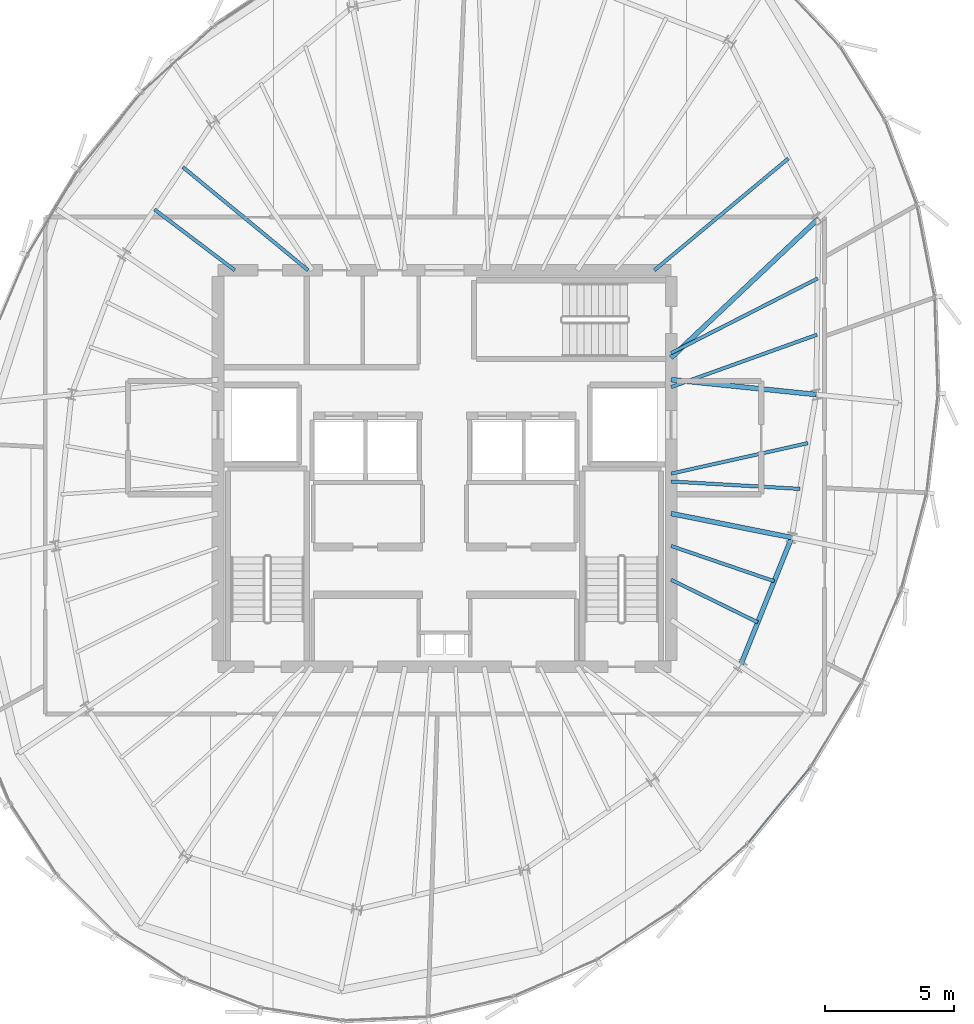
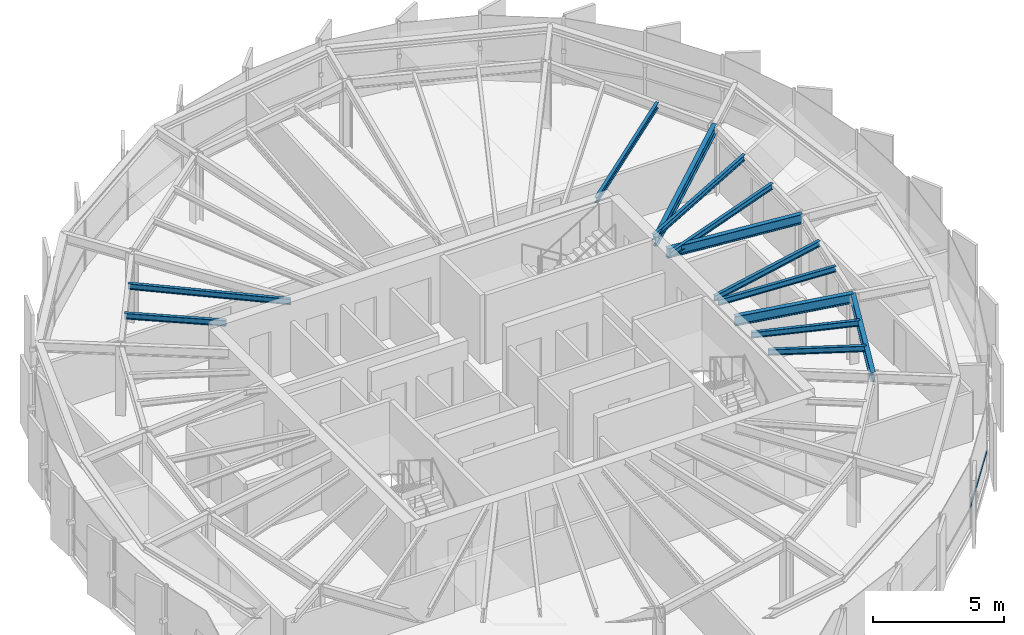
# One storey, part 13 of 31: 13 beams, 1 member, 1 element without a shape of its own.
"""IFC4 building model written with IfcOpenShell, lengths in metres."""

from ifc_helpers import new_model, si_unit, direction, frame, origin, origin_2d, place, context, subcontext, project, spatial, hollow_rectangle, i_section, extrude, source, transform, mapped, material, layer, layer_set, material_profile, profile_set, type_object, element, aggregate, save


model = new_model("IFC4")

# Units and contexts
model_context = context("Model", 3, precision=1e-05, world=origin(), true_north=direction((0.0, 1.0)))
body_context = subcontext(model_context, "Body", "Model", "MODEL_VIEW")
ifc_project = project(units=[si_unit("LENGTHUNIT", "METRE"), si_unit("AREAUNIT", "SQUARE_METRE"), si_unit("VOLUMEUNIT", "CUBIC_METRE"), si_unit("PLANEANGLEUNIT", "RADIAN"), si_unit("MASSUNIT", "GRAM", prefix="KILO"), si_unit("THERMODYNAMICTEMPERATUREUNIT", "KELVIN")], contexts=[model_context])

# Site, building, storey
site_placement = place(None, origin())
site = spatial("IfcSite", under=ifc_project, at=site_placement, CompositionType="ELEMENT")
building_placement = place(site_placement, origin())
building = spatial("IfcBuilding", under=site, at=building_placement, Name="Kethvar Cultural Tower", CompositionType="ELEMENT")
storey_placement = place(building_placement, frame((0.0, 0.0, 287.050048828125)))
storey = spatial("IfcBuildingStorey", under=building, at=storey_placement, Name="L76", CompositionType="ELEMENT", Elevation=287.050048828125)

# Beams
ifc_material_1 = material(Name="Steel S355J2", Category="steel")
ifc_material_profile_1 = material_profile(ifc_material_1, i_section(OverallWidth=0.18994140625, OverallDepth=0.449951171875, WebThickness=0.009521484375, FlangeThickness=0.0146484375, FilletRadius=0.02099609375, at=origin_2d()), Name="Steel S355J2 — IPE450")
ifc_profile_set_1 = profile_set([ifc_material_profile_1], Name="Steel S355J2 — IPE450")
beam_type_1 = type_object("IfcBeamType", Name="BM-IPE450", PredefinedType="BEAM", material=ifc_profile_set_1)
shared_shape_1 = source(origin(), body_context, "Body", "SweptSolid", [
    extrude(i_section(OverallWidth=0.18994140625, OverallDepth=0.449951171875, WebThickness=0.009521484375, FlangeThickness=0.0146484375, FilletRadius=0.02099609375, at=origin_2d()), origin(), (0.0, 0.0, 1.0), 5.66650390625),
])
beam_1_placement = place(storey_placement, frame((55.60009765625, 31.25, 2.98291015625), z_axis=(0.994777513459, -0.102067128476, 0.0), x_axis=(0.102067128476, 0.994777513459, 0.0)))
element("IfcBeam", 1, at=beam_1_placement, inside=storey, type_object=beam_type_1, Name="L76 Primary Radial Beam RB-01", PredefinedType="BEAM", context=body_context, shape_type="MappedRepresentation", body=[
    mapped(shared_shape_1, transform((0.0, 0.0, 0.0), scale=1.0)),
])
shared_shape_2 = source(origin(), body_context, "Body", "SweptSolid", [
    extrude(i_section(OverallWidth=0.18994140625, OverallDepth=0.449951171875, WebThickness=0.009521484375, FlangeThickness=0.0146484375, FilletRadius=0.02099609375, at=origin_2d()), origin(), (0.0, 0.0, 1.0), 7.874267578125),
])
beam_2_placement = place(storey_placement, frame((55.60009765625, 32.10009765625, 2.98291015625), z_axis=(0.727123202456, 0.686506990823, 0.0), x_axis=(-0.686506990823, 0.727123202456, 0.0)))
element("IfcBeam", 2, at=beam_2_placement, inside=storey, type_object=beam_type_1, Name="L76 Primary Radial Beam RB-02", PredefinedType="BEAM", context=body_context, shape_type="MappedRepresentation", body=[
    mapped(shared_shape_2, transform((0.0, 0.0, 0.0), scale=1.0)),
])
shared_shape_3 = source(origin(), body_context, "Body", "SweptSolid", [
    extrude(i_section(OverallWidth=0.18994140625, OverallDepth=0.449951171875, WebThickness=0.009521484375, FlangeThickness=0.0146484375, FilletRadius=0.02099609375, at=origin_2d()), origin(), (0.0, 0.0, 1.0), 4.775390625),
])
beam_3_placement = place(storey_placement, frame((55.60009765625, 26.049560546875, 2.98291015625), z_axis=(0.980784643133, -0.195093525761, 0.0), x_axis=(0.195093525761, 0.980784643133, 0.0)))
element("IfcBeam", 3, at=beam_3_placement, inside=storey, type_object=beam_type_1, Name="L76 Primary Radial Beam RB-16", PredefinedType="BEAM", context=body_context, shape_type="MappedRepresentation", body=[
    mapped(shared_shape_3, transform((0.0, 0.0, 0.0), scale=1.0)),
])
ifc_material_profile_2 = material_profile(ifc_material_1, i_section(OverallWidth=0.135009765625, OverallDepth=0.27001953125, WebThickness=0.006591796875, FlangeThickness=0.01025390625, FilletRadius=0.014892578125, at=origin_2d()), Name="Steel S355J2 — IPE270")
ifc_profile_set_2 = profile_set([ifc_material_profile_2], Name="Steel S355J2 — IPE270")
beam_type_2 = type_object("IfcBeamType", Name="BM-J270", PredefinedType="JOIST", material=ifc_profile_set_2)
shared_shape_4 = source(origin(), body_context, "Body", "SweptSolid", [
    extrude(i_section(OverallWidth=0.135009765625, OverallDepth=0.27001953125, WebThickness=0.006591796875, FlangeThickness=0.01025390625, FilletRadius=0.014892578125, at=origin_2d()), origin(), (0.0, 0.0, 1.0), 6.021240234375),
])
beam_4_placement = place(storey_placement, frame((55.60009765625, 30.960205078125, 3.072998046875), z_axis=(0.94114970072, 0.337990001086, 0.0), x_axis=(-0.337990001086, 0.94114970072, 0.0)))
element("IfcBeam", 4, at=beam_4_placement, inside=storey, type_object=beam_type_2, Name="L76 Composite Floor Joist J-01A", PredefinedType="JOIST", context=body_context, shape_type="MappedRepresentation", body=[
    mapped(shared_shape_4, transform((0.0, 0.0, 0.0), scale=1.0)),
])
shared_shape_5 = source(origin(), body_context, "Body", "SweptSolid", [
    extrude(i_section(OverallWidth=0.135009765625, OverallDepth=0.27001953125, WebThickness=0.006591796875, FlangeThickness=0.01025390625, FilletRadius=0.014892578125, at=origin_2d()), origin(), (0.0, 0.0, 1.0), 6.3916015625),
])
beam_5_placement = place(storey_placement, frame((55.60009765625, 32.281494140625, 3.072998046875), z_axis=(0.891094874615, 0.453817060538, 0.0), x_axis=(-0.453817060538, 0.891094874615, 0.0)))
element("IfcBeam", 5, at=beam_5_placement, inside=storey, type_object=beam_type_2, Name="L76 Composite Floor Joist J-01B", PredefinedType="JOIST", context=body_context, shape_type="MappedRepresentation", body=[
    mapped(shared_shape_5, transform((0.0, 0.0, 0.0), scale=1.0)),
])
shared_shape_6 = source(origin(), body_context, "Body", "SweptSolid", [
    extrude(i_section(OverallWidth=0.135009765625, OverallDepth=0.27001953125, WebThickness=0.006591796875, FlangeThickness=0.01025390625, FilletRadius=0.014892578125, at=origin_2d()), origin(), (0.0, 0.0, 1.0), 6.776123046875),
])
beam_6_placement = place(storey_placement, frame((54.949951171875, 35.5, 3.072998046875), z_axis=(0.767801747857, 0.6406875026, 0.0), x_axis=(-0.6406875026, 0.767801747857, 0.0)))
element("IfcBeam", 6, at=beam_6_placement, inside=storey, type_object=beam_type_2, Name="L76 Composite Floor Joist J-02A", PredefinedType="JOIST", context=body_context, shape_type="MappedRepresentation", body=[
    mapped(shared_shape_6, transform((0.0, 0.0, 0.0), scale=1.0)),
])
shared_shape_7 = source(origin(), body_context, "Body", "SweptSolid", [
    extrude(i_section(OverallWidth=0.135009765625, OverallDepth=0.27001953125, WebThickness=0.006591796875, FlangeThickness=0.01025390625, FilletRadius=0.014892578125, at=origin_2d()), origin(), (0.0, 0.0, 1.0), 6.302978515625),
])
beam_7_placement = place(storey_placement, frame((41.5, 35.5, 3.072998046875), z_axis=(-0.771828477148, 0.635830796567, 0.0), x_axis=(-0.635830796567, -0.771828477148, 0.0)))
element("IfcBeam", 7, at=beam_7_placement, inside=storey, type_object=beam_type_2, Name="L76 Composite Floor Joist J-06A", PredefinedType="JOIST", context=body_context, shape_type="MappedRepresentation", body=[
    mapped(shared_shape_7, transform((0.0, 0.0, 0.0), scale=1.0)),
])
shared_shape_8 = source(origin(), body_context, "Body", "SweptSolid", [
    extrude(i_section(OverallWidth=0.135009765625, OverallDepth=0.27001953125, WebThickness=0.006591796875, FlangeThickness=0.01025390625, FilletRadius=0.014892578125, at=origin_2d()), origin(), (0.0, 0.0, 1.0), 3.91357421875),
])
beam_8_placement = place(storey_placement, frame((38.64990234375, 35.5, 3.072998046875), z_axis=(-0.797214062325, 0.603696727531, 0.0), x_axis=(-0.603696727531, -0.797214062325, 0.0)))
element("IfcBeam", 8, at=beam_8_placement, inside=storey, type_object=beam_type_2, Name="L76 Composite Floor Joist J-06B", PredefinedType="JOIST", context=body_context, shape_type="MappedRepresentation", body=[
    mapped(shared_shape_8, transform((0.0, 0.0, 0.0), scale=1.0)),
])
shared_shape_9 = source(origin(), body_context, "Body", "SweptSolid", [
    extrude(i_section(OverallWidth=0.18994140625, OverallDepth=0.449951171875, WebThickness=0.009521484375, FlangeThickness=0.0146484375, FilletRadius=0.02099609375, at=origin_2d()), origin(), (0.0, 0.0, 1.0), 5.377685546875),
])
beam_9_placement = place(storey_placement, frame((58.287109375, 20.12451171875, 2.98291015625), z_axis=(0.371265436914, 0.928526776864, 0.0), x_axis=(-0.928526776864, 0.371265436914, 0.0)))
element("IfcBeam", 9, at=beam_9_placement, inside=storey, type_object=beam_type_1, Name="L76 Column Ring Tie Beam CR-15", PredefinedType="BEAM", context=body_context, shape_type="MappedRepresentation", body=[
    mapped(shared_shape_9, transform((0.0, 0.0, 0.0), scale=1.0)),
])
shared_shape_10 = source(origin(), body_context, "Body", "SweptSolid", [
    extrude(i_section(OverallWidth=0.135009765625, OverallDepth=0.27001953125, WebThickness=0.006591796875, FlangeThickness=0.01025390625, FilletRadius=0.014892578125, at=origin_2d()), origin(), (0.0, 0.0, 1.0), 3.75),
])
beam_10_placement = place(storey_placement, frame((55.60009765625, 23.476318359375, 3.072998046875), z_axis=(0.8975046019, -0.441005090184, 0.0), x_axis=(0.441005090184, 0.8975046019, 0.0)))
element("IfcBeam", 10, at=beam_10_placement, inside=storey, type_object=beam_type_2, Name="L76 Composite Floor Joist J-15A", PredefinedType="JOIST", context=body_context, shape_type="MappedRepresentation", body=[
    mapped(shared_shape_10, transform((0.0, 0.0, 0.0), scale=1.0)),
])
shared_shape_11 = source(origin(), body_context, "Body", "SweptSolid", [
    extrude(i_section(OverallWidth=0.135009765625, OverallDepth=0.27001953125, WebThickness=0.006591796875, FlangeThickness=0.01025390625, FilletRadius=0.014892578125, at=origin_2d()), origin(), (0.0, 0.0, 1.0), 4.232421875),
])
beam_11_placement = place(storey_placement, frame((55.60009765625, 24.7900390625, 3.072998046875), z_axis=(0.946173747357, -0.323659141402, 0.0), x_axis=(0.323659141402, 0.946173747357, 0.0)))
element("IfcBeam", 11, at=beam_11_placement, inside=storey, type_object=beam_type_2, Name="L76 Composite Floor Joist J-15B", PredefinedType="JOIST", context=body_context, shape_type="MappedRepresentation", body=[
    mapped(shared_shape_11, transform((0.0, 0.0, 0.0), scale=1.0)),
])
shared_shape_12 = source(origin(), body_context, "Body", "SweptSolid", [
    extrude(i_section(OverallWidth=0.135009765625, OverallDepth=0.27001953125, WebThickness=0.006591796875, FlangeThickness=0.01025390625, FilletRadius=0.014892578125, at=origin_2d()), origin(), (0.0, 0.0, 1.0), 5.01611328125),
])
beam_12_placement = place(storey_placement, frame((55.60009765625, 27.294189453125, 3.072998046875), z_axis=(0.998352190078, -0.057383835418, 0.0), x_axis=(0.057383835418, 0.998352190078, 0.0)))
element("IfcBeam", 12, at=beam_12_placement, inside=storey, type_object=beam_type_2, Name="L76 Composite Floor Joist J-16A", PredefinedType="JOIST", context=body_context, shape_type="MappedRepresentation", body=[
    mapped(shared_shape_12, transform((0.0, 0.0, 0.0), scale=1.0)),
])
shared_shape_13 = source(origin(), body_context, "Body", "SweptSolid", [
    extrude(i_section(OverallWidth=0.135009765625, OverallDepth=0.27001953125, WebThickness=0.006591796875, FlangeThickness=0.01025390625, FilletRadius=0.014892578125, at=origin_2d()), origin(), (0.0, 0.0, 1.0), 5.44287109375),
])
beam_13_placement = place(storey_placement, frame((55.60009765625, 27.60009765625, 3.072998046875), z_axis=(0.976080346759, 0.217410111702, 0.0), x_axis=(-0.217410111702, 0.976080346759, 0.0)))
element("IfcBeam", 13, at=beam_13_placement, inside=storey, type_object=beam_type_2, Name="L76 Composite Floor Joist J-16B", PredefinedType="JOIST", context=body_context, shape_type="MappedRepresentation", body=[
    mapped(shared_shape_13, transform((0.0, 0.0, 0.0), scale=1.0)),
])

# Curtain wall, member
ifc_material_2 = material(Name="Aluminium 6063-T6", Category="aluminium")
ifc_layer = layer(ifc_material_2, 0.179931640625, Name="Aluminium 6063-T6", Category="aluminium")
ifc_layer_set = layer_set([ifc_layer], Name="Aluminium 6063-T6 (180 mm)")
curtain_wall_type = type_object("IfcCurtainWallType", Name="CW-SYS-05-Z56", PredefinedType="NOTDEFINED", material=ifc_layer_set)
curtain_wall_placement = place(storey_placement, origin())
curtain_wall = element("IfcCurtainWall", 14, at=curtain_wall_placement, inside=storey, type_object=curtain_wall_type, Name="L76 Curtain Wall Run 05", PredefinedType="NOTDEFINED")
ifc_material_profile_3 = material_profile(ifc_material_2, hollow_rectangle(XDim=0.050048828125, YDim=0.10009765625, WallThickness=0.00390625, at=origin_2d()), Name="Aluminium 6063-T6 — RHS100x50x4")
ifc_profile_set_3 = profile_set([ifc_material_profile_3], Name="Aluminium 6063-T6 — RHS100x50x4")
member_type = type_object("IfcMemberType", Name="CW-SYS-05-Z56-TRN", PredefinedType="USERDEFINED", material=ifc_profile_set_3)
shared_shape_14 = source(origin(), body_context, "Body", "SweptSolid", [
    extrude(hollow_rectangle(XDim=0.050048828125, YDim=0.10009765625, WallThickness=0.00390625, at=origin_2d()), origin(), (0.0, 0.0, 1.0), 3.771728515625),
])
member_placement = place(storey_placement, frame((58.6123046875, 13.273681640625, 0.949951171875), z_axis=(0.634519926986, 0.772906502921, 0.0), x_axis=(-0.772906502921, 0.634519926986, 0.0)))
member = element("IfcMember", 15, at=member_placement, type_object=member_type, Name="CW-L76-R05 Transom 2", ObjectType="TRANSOM", PredefinedType="USERDEFINED", context=body_context, shape_type="MappedRepresentation", body=[
    mapped(shared_shape_14, transform((0.0, 0.0, 0.0), scale=1.0)),
])
aggregate(curtain_wall, [member])

save(model, "model.ifc")
